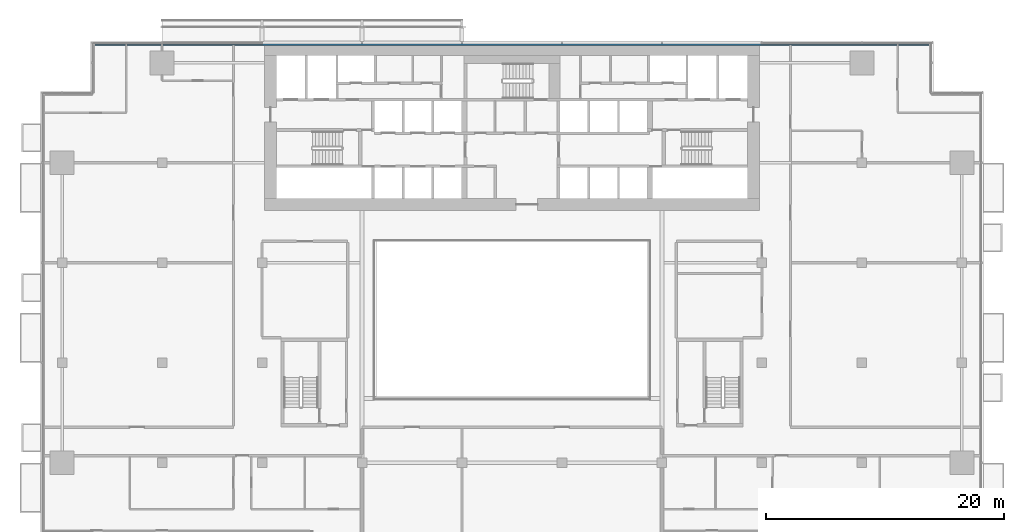
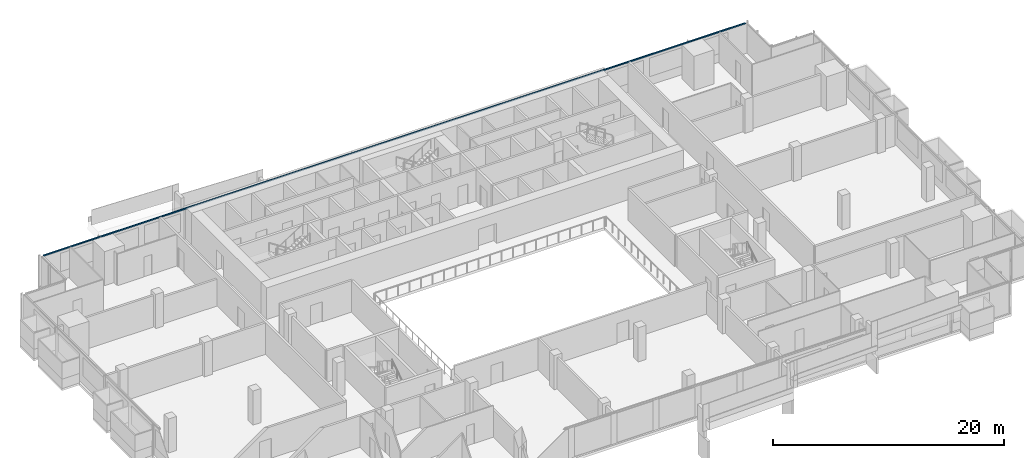
# One storey, part 9 of 26: 1 member, 1 element without a shape of its own.
"""IFC4 building model written with IfcOpenShell, lengths in metres."""

import ifcopenshell
import ifcopenshell.guid

model = None  # the IFC model being written
_history = None  # IfcOwnerHistory: only IFC2X3 demands one
_inside = {}  # id of a spatial element -> (the spatial element, [elements in it])
_under = {}  # id of a project, library or spatial element -> (it, [spatial elements below it])
_declared = {}  # id of a project -> (the project, [libraries it declares])
_typed = {}  # id of a type object -> (the type object, [elements of that type])
_made_of = {}  # id of a material, layer set ... -> (it, [elements and type objects made of it])


def new_model(schema):
    """Start an empty IFC model of exactly this schema.

    Asked for "IFC4X3", IfcOpenShell would pick the latest addendum, in which some entities
    have other attributes; the version numbers below select the first issue.
    IFC2X3 requires an IfcOwnerHistory on every rooted entity: one is made here for all.
    """
    global model, _history
    if schema == "IFC4X3":
        model = ifcopenshell.file(schema_version=(4, 3, 0, 0))
    else:
        model = ifcopenshell.file(schema=schema)
    _inside.clear()
    _under.clear()
    _declared.clear()
    _typed.clear()
    _made_of.clear()
    _history = None
    if model.schema == "IFC2X3":
        org = make("IfcOrganization", Name="unknown")
        user = make(
            "IfcPersonAndOrganization",
            ThePerson=make("IfcPerson", FamilyName="unknown"),
            TheOrganization=org,
        )
        app = make(
            "IfcApplication",
            ApplicationDeveloper=org,
            Version="unknown",
            ApplicationFullName="unknown",
            ApplicationIdentifier="unknown",
        )
        _history = make(
            "IfcOwnerHistory",
            OwningUser=user,
            OwningApplication=app,
            ChangeAction="ADDED",
            CreationDate=0,
        )
    return model


def make(cls, **values):
    """One entity of the class cls with the attributes given. An attribute that is None is left unset."""
    return model.create_entity(
        cls, **{name: value for name, value in values.items() if value is not None}
    )


def rooted(cls, **values):
    """An entity with a GlobalId (a new one), such as an element, a storey or a relation."""
    return make(cls, GlobalId=ifcopenshell.guid.new(), OwnerHistory=_history, **values)


def si_unit(unit_type, name, prefix=None):
    """IfcSIUnit, for example si_unit("LENGTHUNIT", "METRE", prefix="MILLI")."""
    return make("IfcSIUnit", UnitType=unit_type, Prefix=prefix, Name=name)


def assignment(units):
    """IfcUnitAssignment: the units of a project."""
    return None if units is None else make("IfcUnitAssignment", Units=units)


def point(xyz):
    """IfcCartesianPoint."""
    return None if xyz is None else make("IfcCartesianPoint", Coordinates=xyz)


def direction(xyz):
    """IfcDirection."""
    return None if xyz is None else make("IfcDirection", DirectionRatios=xyz)


def frame(location, z_axis=None, x_axis=None):
    """IfcAxis2Placement3D, a coordinate frame: its origin and axes. An axis left out is left unset."""
    return make(
        "IfcAxis2Placement3D",
        Location=point(location),
        Axis=direction(z_axis),
        RefDirection=direction(x_axis),
    )


def frame_2d(location, x_axis=None):
    """IfcAxis2Placement2D, a coordinate frame in the plane: its origin and x axis."""
    return make(
        "IfcAxis2Placement2D", Location=point(location), RefDirection=direction(x_axis)
    )


def origin():
    """The frame at (0, 0, 0) with its axes left unset."""
    return frame((0.0, 0.0, 0.0))


def origin_2d():
    """The frame at (0, 0) in the plane with its x axis left unset."""
    return frame_2d((0.0, 0.0))


def place(relative_to, where):
    """IfcLocalPlacement: puts the frame where relative to a parent placement (None: the world)."""
    return make(
        "IfcLocalPlacement", PlacementRelTo=relative_to, RelativePlacement=where
    )


def context(
    kind, dimensions, precision=None, world=None, true_north=None, identifier=None
):
    """IfcGeometricRepresentationContext, for example the 3D "Model" context."""
    return make(
        "IfcGeometricRepresentationContext",
        ContextIdentifier=identifier,
        ContextType=kind,
        CoordinateSpaceDimension=dimensions,
        Precision=precision,
        WorldCoordinateSystem=world,
        TrueNorth=true_north,
    )


def subcontext(parent, identifier, kind, view, scale=None):
    """IfcGeometricRepresentationSubContext, for example "Body" below "Model"."""
    return make(
        "IfcGeometricRepresentationSubContext",
        ContextIdentifier=identifier,
        ContextType=kind,
        ParentContext=parent,
        TargetScale=scale,
        TargetView=view,
    )


def project(units=None, contexts=None):
    """IfcProject with its units and contexts."""
    return rooted(
        "IfcProject",
        Name="project",
        RepresentationContexts=contexts,
        UnitsInContext=assignment(units),
    )


def spatial(cls, under=None, at=None, **own):
    """A site, building, storey or space (cls), placed at a placement, below another one or the project."""
    s = rooted(cls, ObjectPlacement=at, **own)
    if under is not None:
        _under.setdefault(under.id(), (under, []))[1].append(s)
    return s


def profile(cls, at=None, kind="AREA", **sizes):
    """A parametric profile (cls). Its sizes go by their IFC names, for example OverallWidth=200.0."""
    return make(cls, ProfileType=kind, Position=at, **sizes)


def rectangle(**sizes):
    """IfcRectangleProfileDef."""
    return profile("IfcRectangleProfileDef", **sizes)


def extrude(swept, where, along, depth):
    """IfcExtrudedAreaSolid: the profile swept, set in the frame where, extruded along a direction by depth."""
    return make(
        "IfcExtrudedAreaSolid",
        SweptArea=swept,
        Position=where,
        ExtrudedDirection=direction(along),
        Depth=depth,
    )


def shape(context_of_items, identifier, shape_type, items):
    """IfcShapeRepresentation: the items that make up one representation, for example the "Body"."""
    return make(
        "IfcShapeRepresentation",
        ContextOfItems=context_of_items,
        RepresentationIdentifier=identifier,
        RepresentationType=shape_type,
        Items=items,
    )


def material(Name=None, Category=None):
    """IfcMaterial."""
    return make("IfcMaterial", Name=Name, Category=Category)


def material_profile(
    of_material, cross_section, Name=None, Category=None, Priority=None
):
    """IfcMaterialProfile: a cross section and its material."""
    return make(
        "IfcMaterialProfile",
        Name=Name,
        Material=of_material,
        Profile=cross_section,
        Priority=Priority,
        Category=Category,
    )


def profile_set(profiles, Name=None, composite=None):
    """IfcMaterialProfileSet."""
    return make(
        "IfcMaterialProfileSet",
        Name=Name,
        MaterialProfiles=profiles,
        CompositeProfile=composite,
    )


def made_of(thing, what):
    """Note that an element or type object is made of a material, layer set ...; save() writes the relation."""
    if what is not None:
        _made_of.setdefault(what.id(), (what, []))[1].append(thing)
    return thing


def type_object(cls, material=None, **own):
    """A type object (cls), such as IfcWallType, which elements share."""
    return made_of(rooted(cls, **own), material)


def element(
    cls,
    number,
    at=None,
    inside=None,
    cuts=None,
    type_object=None,
    material=None,
    context=None,
    identifier="Body",
    shape_type=None,
    held_by="IfcProductDefinitionShape",
    body=None,
    shapes=None,
    **own,
):
    """One element of the class cls, such as IfcWall. Its Tag is "e" and its number.

    at: its placement. inside: the storey or other place that contains it. cuts: it is an
    opening in that element (IfcRelVoidsElement). A single representation is given by context,
    identifier, shape_type and body (its items); several are given by shapes. held_by: the class
    of the entity that holds the representations. save() writes the other relations.
    """
    e = rooted(cls, Tag="e%d" % number, ObjectPlacement=at, **own)
    if body is not None:
        shapes = [shape(context, identifier, shape_type, body)]
    if shapes is not None:
        e.Representation = make(held_by, Representations=shapes)
    if inside is not None:
        _inside.setdefault(inside.id(), (inside, []))[1].append(e)
    if cuts is not None:
        rooted(
            "IfcRelVoidsElement", RelatingBuildingElement=cuts, RelatedOpeningElement=e
        )
    if type_object is not None:
        _typed.setdefault(type_object.id(), (type_object, []))[1].append(e)
    return made_of(e, material)


def aggregate(whole, parts):
    """IfcRelAggregates: a whole, such as a stair, and the parts it consists of."""
    return rooted("IfcRelAggregates", RelatingObject=whole, RelatedObjects=parts)


def save(model, path):
    """Write the relations noted so far, then the file.

    IfcRelAggregates (storeys below a building ...), IfcRelContainedInSpatialStructure (elements
    in a storey), IfcRelDefinesByType, IfcRelAssociatesMaterial and IfcRelDeclares: one each for
    every whole, place, type object, material and project.
    """
    for whole, parts in _under.values():
        aggregate(whole, parts)
    for where, things in _inside.values():
        rooted(
            "IfcRelContainedInSpatialStructure",
            RelatedElements=things,
            RelatingStructure=where,
        )
    for kind, things in _typed.values():
        rooted("IfcRelDefinesByType", RelatedObjects=things, RelatingType=kind)
    for what, things in _made_of.values():
        rooted("IfcRelAssociatesMaterial", RelatedObjects=things, RelatingMaterial=what)
    for by, libraries in _declared.values():
        rooted("IfcRelDeclares", RelatingContext=by, RelatedDefinitions=libraries)
    model.write(path)


model = new_model("IFC4")

# Units and contexts
model_context = context("Model", 3, precision=1e-05, world=origin(), true_north=direction((0.0, 1.0)))
body_context = subcontext(model_context, "Body", "Model", "MODEL_VIEW")
ifc_project = project(units=[si_unit("LENGTHUNIT", "METRE"), si_unit("AREAUNIT", "SQUARE_METRE"), si_unit("VOLUMEUNIT", "CUBIC_METRE"), si_unit("PLANEANGLEUNIT", "RADIAN"), si_unit("MASSUNIT", "GRAM", prefix="KILO")], contexts=[model_context])

# Site, building, storey
site_placement = place(None, origin())
site = spatial("IfcSite", under=ifc_project, at=site_placement, CompositionType="ELEMENT")
building_placement = place(site_placement, origin())
building = spatial("IfcBuilding", under=site, at=building_placement, Name="Saffron Gate Tower", CompositionType="ELEMENT")
storey_placement = place(building_placement, frame((0.0, 0.0, 102.449951171875)))
storey = spatial("IfcBuildingStorey", under=building, at=storey_placement, Name="L23", CompositionType="ELEMENT", Elevation=102.449951171875)

# Curtain wall, member
ifc_material = material(Name="Aluminium, bronze anodised", Category="aluminium")
curtain_wall_type = type_object("IfcCurtainWallType", Name="CWS3 curtain wall rear facade", PredefinedType="NOTDEFINED", material=ifc_material)
curtain_wall_placement = place(storey_placement, origin())
curtain_wall = element("IfcCurtainWall", 1, at=curtain_wall_placement, inside=storey, type_object=curtain_wall_type, Name="CWS3 run 7", PredefinedType="NOTDEFINED")
ifc_material_profile = material_profile(ifc_material, rectangle(XDim=0.1201171875, YDim=0.1201171875, at=origin_2d()))
ifc_profile_set = profile_set([ifc_material_profile], Name="Aluminium, bronze anodised")
member_type = type_object("IfcMemberType", Name="CWS3 head transom", PredefinedType="USERDEFINED", material=ifc_profile_set)
member_placement = place(storey_placement, frame((122.632080078125, 75.35205078125, 3.260009765625), z_axis=(-1.0, 0.0, 0.0), x_axis=(0.0, -1.0, 0.0)))
member = element("IfcMember", 2, at=member_placement, type_object=member_type, Name="CWS3 head transom", ObjectType="TRANSOM", PredefinedType="USERDEFINED", context=body_context, shape_type="SweptSolid", body=[
    extrude(rectangle(XDim=0.1201171875, YDim=0.1201171875, at=origin_2d()), origin(), (0.0, 0.0, 1.0), 70.06396484375),
])
aggregate(curtain_wall, [member])

save(model, "model.ifc")
